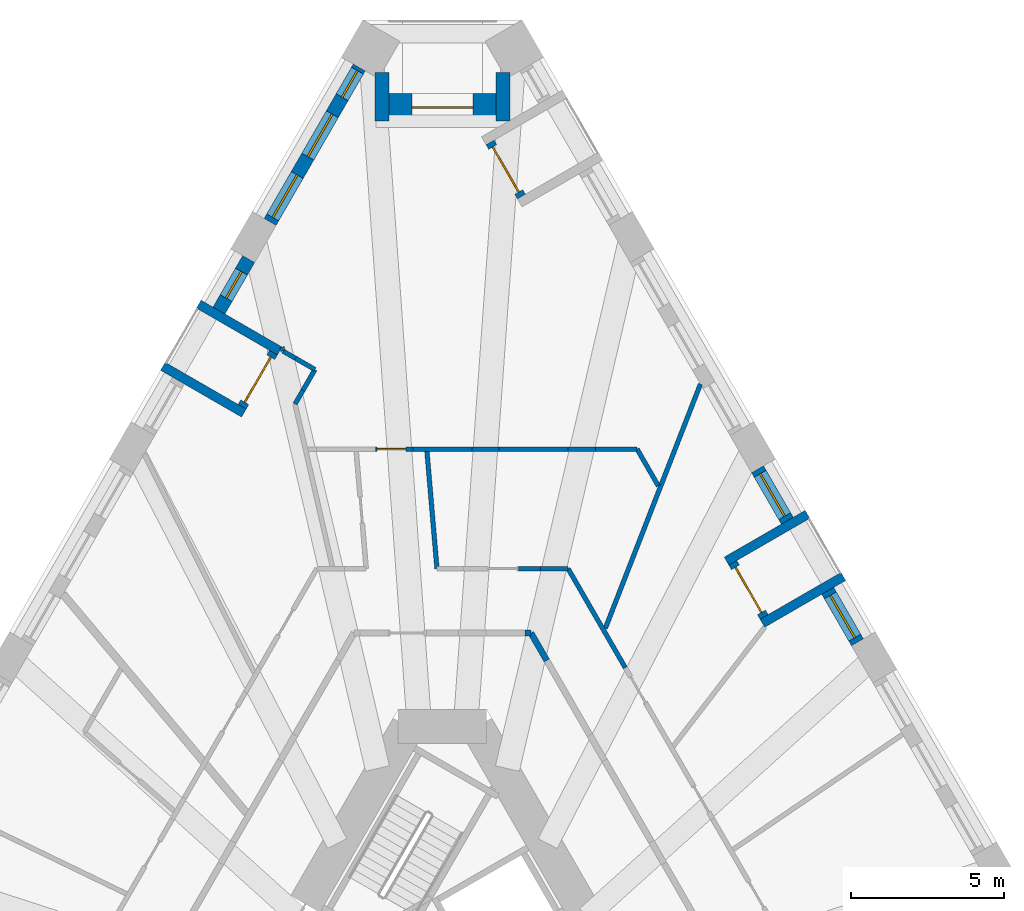
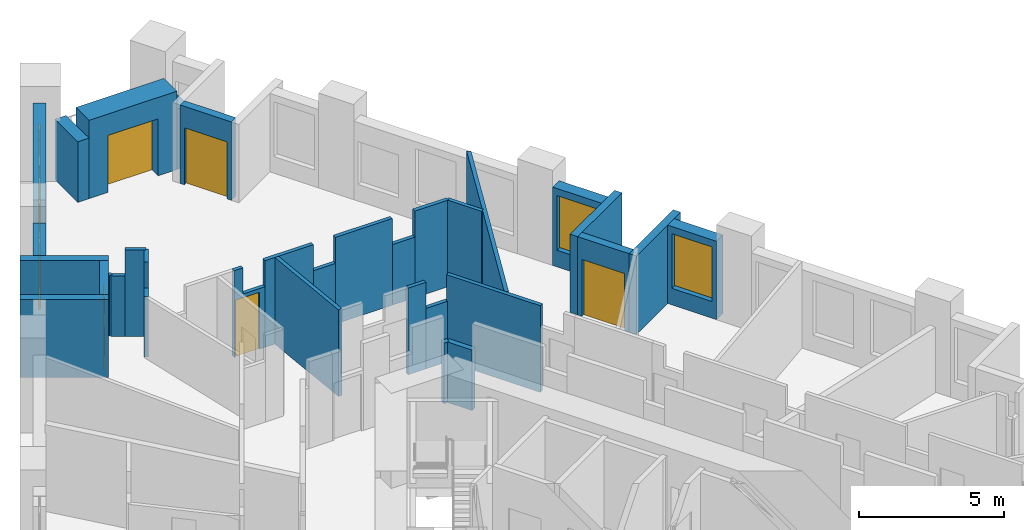
# One storey, part 9 of 14: 33 walls, 6 windows, 5 doors, 11 openings.
"""IFC4 building model written with IfcOpenShell, lengths in metres."""

from ifc_helpers import new_model, si_unit, direction, frame, frame_2d, origin, place, context, subcontext, project, spatial, polyline, rectangle, outline, extrude, material, layer, layer_set, type_object, element, fill, save


model = new_model("IFC4")

# Units and contexts
model_context = context("Model", 3, precision=1e-05, world=origin(), true_north=direction((0.0, 1.0)))
body_context = subcontext(model_context, "Body", "Model", "MODEL_VIEW")
ifc_project = project(units=[si_unit("LENGTHUNIT", "METRE"), si_unit("AREAUNIT", "SQUARE_METRE"), si_unit("VOLUMEUNIT", "CUBIC_METRE"), si_unit("PLANEANGLEUNIT", "RADIAN"), si_unit("MASSUNIT", "GRAM", prefix="KILO")], contexts=[model_context])

# Site, building, storey
site_placement = place(None, origin())
site = spatial("IfcSite", under=ifc_project, at=site_placement, CompositionType="ELEMENT")
building_placement = place(site_placement, origin())
building = spatial("IfcBuilding", under=site, at=building_placement, Name="Tramontana Tower", CompositionType="ELEMENT")
storey_placement = place(building_placement, frame((0.0, 0.0, 42.0)))
storey = spatial("IfcBuildingStorey", under=building, at=storey_placement, Name="L08", CompositionType="ELEMENT", Elevation=42.0)

# Walls
ifc_material_1 = material(Name="Blockwork", Category="masonry")
ifc_layer_1 = layer(ifc_material_1, 0.199951171875)
ifc_layer_set_1 = layer_set([ifc_layer_1], Name="ENTRY WALL 200")
wall_type_1 = type_object("IfcWallType", Name="ENTRY WALL 200", PredefinedType="SOLIDWALL", material=ifc_layer_set_1)
wall_1_placement = place(storey_placement, frame((2.88671875, 13.5, 0.0), z_axis=(0.0, 0.0, 1.0), x_axis=(0.499994660107, -0.866028486751, 0.0)))
element("IfcWall", 1, at=wall_1_placement, inside=storey, type_object=wall_type_1, Name="Wall v02-ew0-0", PredefinedType="SOLIDWALL", context=body_context, shape_type="SweptSolid", body=[
    extrude(rectangle(XDim=1.03515625, YDim=0.199951171875, at=frame_2d((0.517578125, 0.0))), origin(), (0.0, 0.0, 1.0), 2.550048828125),
])
wall_2_placement = place(storey_placement, frame((2.689453125, 13.5, 0.0), z_axis=(0.0, 0.0, 1.0), x_axis=(1.0, 0.0, 0.0)))
element("IfcWall", 2, at=wall_2_placement, inside=storey, type_object=wall_type_1, Name="Wall v02-ew5-6", PredefinedType="SOLIDWALL", context=body_context, shape_type="SweptSolid", body=[
    extrude(rectangle(XDim=0.197265625, YDim=0.199951171875, at=frame_2d((0.0986328125, 0.0))), origin(), (0.0, 0.0, 1.0), 2.550048828125),
])

# Wall, openings, windows
ifc_material_2 = material(Name="Precast concrete 60 MPa", Category="concrete")
ifc_layer_2 = layer(ifc_material_2, 0.449951171875)
ifc_layer_set_2 = layer_set([ifc_layer_2], Name="Precast concrete 60 MPa, 450 mm")
wall_type_2 = type_object("IfcWallType", Name="EW1 Stone-faced precast wall 450", PredefinedType="SOLIDWALL", material=ifc_layer_set_2)
wall_3_placement = place(storey_placement, frame((-2.713623046875, 31.949951171875, 0.0), z_axis=(0.0, 0.0, 1.0), x_axis=(-0.500007002644, -0.866021360769, 0.0)))
wall_3 = element("IfcWall", 3, at=wall_3_placement, inside=storey, type_object=wall_type_2, Name="External wall L08 face 0 bay 1", PredefinedType="SOLIDWALL", context=body_context, shape_type="SweptSolid", body=[
    extrude(rectangle(XDim=5.81787109375, YDim=0.449951171875, at=frame_2d((2.908935546875, 0.0))), origin(), (0.0, 0.0, 1.0), 3.300048828125),
])
opening_1_placement = place(wall_3_placement, frame((0.11962890625, 0.0, 0.699951171875)))
opening_1 = element("IfcOpeningElement", 4, at=opening_1_placement, cuts=wall_3, Name="Opening N1L", PredefinedType="OPENING", context=body_context, shape_type="SweptSolid", body=[
    extrude(rectangle(XDim=1.0, YDim=1.800048828125, at=frame_2d((0.5, 0.89990234375))), frame((0.0, 0.23486328125, 0.0), z_axis=(0.0, -1.0, 0.0), x_axis=(1.0, 0.0, 0.0)), (0.0, 0.0, 1.0), 0.469970703125),
])
opening_2_placement = place(wall_3_placement, frame((1.759033203125, 0.0, 0.699951171875)))
opening_2 = element("IfcOpeningElement", 5, at=opening_2_placement, cuts=wall_3, Name="Opening M1", PredefinedType="OPENING", context=body_context, shape_type="SweptSolid", body=[
    extrude(rectangle(XDim=1.60009765625, YDim=2.300048828125, at=frame_2d((0.800048828125, 1.14990234375))), frame((0.0, 0.23486328125, 0.0), z_axis=(0.0, -1.0, 0.0), x_axis=(1.0, 0.0, 0.0)), (0.0, 0.0, 1.0), 0.469970703125),
])
opening_3_placement = place(wall_3_placement, frame((4.04833984375, 0.0, 0.699951171875)))
opening_3 = element("IfcOpeningElement", 6, at=opening_3_placement, cuts=wall_3, Name="Opening M1", PredefinedType="OPENING", context=body_context, shape_type="SweptSolid", body=[
    extrude(rectangle(XDim=1.60009765625, YDim=2.300048828125, at=frame_2d((0.800048828125, 1.14990234375))), frame((0.0, 0.23486328125, 0.0), z_axis=(0.0, -1.0, 0.0), x_axis=(1.0, 0.0, 0.0)), (0.0, 0.0, 1.0), 0.469970703125),
])
ifc_material_3 = material(Name="Aluminum frame, double glazing unit", Category="aluminium")
window_type_1 = type_object("IfcWindowType", Name="M1 Window 1.6 x 2.3", PartitioningType="SINGLE_PANEL", PredefinedType="WINDOW", material=ifc_material_3)
window_1_placement = place(opening_2_placement, origin())
window_1 = element("IfcWindow", 7, at=window_1_placement, inside=storey, type_object=window_type_1, Name="Window M1 L08 face 0 module 2", OverallHeight=2.300048828125, OverallWidth=1.60009765625, PartitioningType="SINGLE_PANEL", PredefinedType="WINDOW", context=body_context, shape_type="SweptSolid", body=[
    extrude(rectangle(XDim=1.60009765625, YDim=2.300048828125, at=frame_2d((0.800048828125, 1.14990234375))), frame((0.0, 0.030029296875, 0.0), z_axis=(0.0, -1.0, 0.0), x_axis=(1.0, 0.0, 0.0)), (0.0, 0.0, 1.0), 0.06005859375),
])
fill(opening_2, window_1)
window_2_placement = place(opening_3_placement, origin())
window_2 = element("IfcWindow", 8, at=window_2_placement, inside=storey, type_object=window_type_1, Name="Window M1 L08 face 0 module 3", OverallHeight=2.300048828125, OverallWidth=1.60009765625, PartitioningType="SINGLE_PANEL", PredefinedType="WINDOW", context=body_context, shape_type="SweptSolid", body=[
    extrude(rectangle(XDim=1.60009765625, YDim=2.300048828125, at=frame_2d((0.800048828125, 1.14990234375))), frame((0.0, 0.030029296875, 0.0), z_axis=(0.0, -1.0, 0.0), x_axis=(1.0, 0.0, 0.0)), (0.0, 0.0, 1.0), 0.06005859375),
])
fill(opening_3, window_2)
ifc_material_4 = material(Name="Aluminum frame, double glazing unit", Category="aluminium")
window_type_2 = type_object("IfcWindowType", Name="N1L Window 1 x 1.8", PartitioningType="SINGLE_PANEL", PredefinedType="WINDOW", material=ifc_material_4)
window_3_placement = place(opening_1_placement, origin())
window_3 = element("IfcWindow", 9, at=window_3_placement, inside=storey, type_object=window_type_2, Name="Window N1L L08 face 0 module 1", OverallHeight=1.800048828125, OverallWidth=1.0, PartitioningType="SINGLE_PANEL", PredefinedType="WINDOW", context=body_context, shape_type="SweptSolid", body=[
    extrude(rectangle(XDim=1.0, YDim=1.800048828125, at=frame_2d((0.5, 0.89990234375))), frame((0.0, 0.030029296875, 0.0), z_axis=(0.0, -1.0, 0.0), x_axis=(1.0, 0.0, 0.0)), (0.0, 0.0, 1.0), 0.06005859375),
])
fill(opening_1, window_3)

# Wall, opening, window
wall_4_placement = place(storey_placement, frame((-6.322509765625, 25.69921875, 0.0), z_axis=(0.0, 0.0, 1.0), x_axis=(-0.49998396455, -0.866034661658, 0.0)))
wall_4 = element("IfcWall", 10, at=wall_4_placement, inside=storey, type_object=wall_type_2, Name="External wall L08 face 0 bay 2", PredefinedType="SOLIDWALL", context=body_context, shape_type="SweptSolid", body=[
    extrude(rectangle(XDim=1.939453125, YDim=0.449951171875, at=frame_2d((0.9697265625, 0.0))), origin(), (0.0, 0.0, 1.0), 3.300048828125),
])
opening_4_placement = place(wall_4_placement, frame((0.4697265625, 0.0, 0.699951171875)))
opening_4 = element("IfcOpeningElement", 11, at=opening_4_placement, cuts=wall_4, Name="Opening N1", PredefinedType="OPENING", context=body_context, shape_type="SweptSolid", body=[
    extrude(rectangle(XDim=1.0, YDim=2.300048828125, at=frame_2d((0.5, 1.14990234375))), frame((0.0, 0.23486328125, 0.0), z_axis=(0.0, -1.0, 0.0), x_axis=(1.0, 0.0, 0.0)), (0.0, 0.0, 1.0), 0.469970703125),
])
ifc_material_5 = material(Name="Aluminum frame, double glazing unit", Category="aluminium")
window_type_3 = type_object("IfcWindowType", Name="N1 Window 1 x 2.3", PartitioningType="SINGLE_PANEL", PredefinedType="WINDOW", material=ifc_material_5)
window_4_placement = place(opening_4_placement, origin())
window_4 = element("IfcWindow", 12, at=window_4_placement, inside=storey, type_object=window_type_3, Name="Window N1 L08 face 0 module 4", OverallHeight=2.300048828125, OverallWidth=1.0, PartitioningType="SINGLE_PANEL", PredefinedType="WINDOW", context=body_context, shape_type="SweptSolid", body=[
    extrude(rectangle(XDim=1.0, YDim=2.300048828125, at=frame_2d((0.5, 1.14990234375))), frame((0.0, 0.030029296875, 0.0), z_axis=(0.0, -1.0, 0.0), x_axis=(1.0, 0.0, 0.0)), (0.0, 0.0, 1.0), 0.06005859375),
])
fill(opening_4, window_4)

wall_5_placement = place(storey_placement, frame((13.54052734375, 13.197265625, 0.0), z_axis=(0.0, 0.0, 1.0), x_axis=(-0.500038474733, 0.866003189247, 0.0)))
wall_5 = element("IfcWall", 13, at=wall_5_placement, inside=storey, type_object=wall_type_2, Name="External wall L08 face 2 bay 5", PredefinedType="SOLIDWALL", context=body_context, shape_type="SweptSolid", body=[
    extrude(rectangle(XDim=1.939208984375, YDim=0.449951171875, at=frame_2d((0.9697265625, 0.0))), origin(), (0.0, 0.0, 1.0), 3.300048828125),
])
opening_5_placement = place(wall_5_placement, frame((0.169677734375, 0.0, 0.699951171875)))
opening_5 = element("IfcOpeningElement", 14, at=opening_5_placement, cuts=wall_5, Name="Opening M1", PredefinedType="OPENING", context=body_context, shape_type="SweptSolid", body=[
    extrude(rectangle(XDim=1.60009765625, YDim=2.300048828125, at=frame_2d((0.800048828125, 1.14990234375))), frame((0.0, 0.23486328125, 0.0), z_axis=(0.0, -1.0, 0.0), x_axis=(1.0, 0.0, 0.0)), (0.0, 0.0, 1.0), 0.469970703125),
])
window_5_placement = place(opening_5_placement, origin())
window_5 = element("IfcWindow", 15, at=window_5_placement, inside=storey, type_object=window_type_1, Name="Window M1 L08 face 2 module 13", OverallHeight=2.300048828125, OverallWidth=1.60009765625, PartitioningType="SINGLE_PANEL", PredefinedType="WINDOW", context=body_context, shape_type="SweptSolid", body=[
    extrude(rectangle(XDim=1.60009765625, YDim=2.300048828125, at=frame_2d((0.800048828125, 1.14990234375))), frame((0.0, 0.030029296875, 0.0), z_axis=(0.0, -1.0, 0.0), x_axis=(1.0, 0.0, 0.0)), (0.0, 0.0, 1.0), 0.06005859375),
])
fill(opening_5, window_5)

wall_6_placement = place(storey_placement, frame((11.251220703125, 17.16259765625, 0.0), z_axis=(0.0, 0.0, 1.0), x_axis=(-0.500038474733, 0.866003189247, 0.0)))
wall_6 = element("IfcWall", 16, at=wall_6_placement, inside=storey, type_object=wall_type_2, Name="External wall L08 face 2 bay 5", PredefinedType="SOLIDWALL", context=body_context, shape_type="SweptSolid", body=[
    extrude(rectangle(XDim=1.939208984375, YDim=0.449951171875, at=frame_2d((0.9697265625, 0.0))), origin(), (0.0, 0.0, 1.0), 3.300048828125),
])
opening_6_placement = place(wall_6_placement, frame((0.169677734375, 0.0, 0.699951171875)))
opening_6 = element("IfcOpeningElement", 17, at=opening_6_placement, cuts=wall_6, Name="Opening M1", PredefinedType="OPENING", context=body_context, shape_type="SweptSolid", body=[
    extrude(rectangle(XDim=1.60009765625, YDim=2.300048828125, at=frame_2d((0.800048828125, 1.14990234375))), frame((0.0, 0.23486328125, 0.0), z_axis=(0.0, -1.0, 0.0), x_axis=(1.0, 0.0, 0.0)), (0.0, 0.0, 1.0), 0.469970703125),
])
window_6_placement = place(opening_6_placement, origin())
window_6 = element("IfcWindow", 18, at=window_6_placement, inside=storey, type_object=window_type_1, Name="Window M1 L08 face 2 module 15", OverallHeight=2.300048828125, OverallWidth=1.60009765625, PartitioningType="SINGLE_PANEL", PredefinedType="WINDOW", context=body_context, shape_type="SweptSolid", body=[
    extrude(rectangle(XDim=1.60009765625, YDim=2.300048828125, at=frame_2d((0.800048828125, 1.14990234375))), frame((0.0, 0.030029296875, 0.0), z_axis=(0.0, -1.0, 0.0), x_axis=(1.0, 0.0, 0.0)), (0.0, 0.0, 1.0), 0.06005859375),
])
fill(opening_6, window_6)

# Walls
for number, where, z_axis, x_axis, name in (
    (19, (-1.97509765625, 31.779296875, 0.0), (0.0, 0.0, 1.0), (0.0, -1.0, 0.0), "Corner loggia side wall L08 K00l"),
    (20, (1.97509765625, 31.779296875, 0.0), (0.0, 0.0, 1.0), (0.0, -1.0, 0.0), "Corner loggia side wall L08 K00r"),
):
    element("IfcWall", number, at=place(storey_placement, frame(where, z_axis=z_axis, x_axis=x_axis)), inside=storey, type_object=wall_type_2, Name=name, PredefinedType="SOLIDWALL", context=body_context, shape_type="SweptSolid", body=[
        extrude(rectangle(XDim=1.579345703125, YDim=0.449951171875, at=frame_2d((0.78955078125, 0.0))), origin(), (0.0, 0.0, 1.0), 2.550048828125),
    ])

# Wall, opening, door
ifc_material_6 = material(Name="Precast concrete 60 MPa", Category="concrete")
ifc_layer_3 = layer(ifc_material_6, 0.89990234375)
ifc_layer_set_3 = layer_set([ifc_layer_3], Name="EW2 Stone-faced corner loggia wall 900")
wall_type_3 = type_object("IfcWallType", Name="EW2 Stone-faced corner loggia wall 900", PredefinedType="SOLIDWALL", material=ifc_layer_set_3)
wall_7_placement = place(storey_placement, frame((-1.75, 30.64990234375, 0.0), z_axis=(0.0, 0.0, 1.0), x_axis=(1.0, 0.0, 0.0)))
wall_7 = element("IfcWall", 21, at=wall_7_placement, inside=storey, type_object=wall_type_3, Name="Corner loggia wall L08 K00", PredefinedType="SOLIDWALL", context=body_context, shape_type="SweptSolid", body=[
    extrude(rectangle(XDim=3.5, YDim=0.89990234375, at=frame_2d((1.75, 0.0))), origin(), (0.0, 0.0, 1.0), 3.300048828125),
])
opening_7_placement = place(wall_7_placement, frame((0.75, 0.0, 0.0)))
opening_7 = element("IfcOpeningElement", 22, at=opening_7_placement, cuts=wall_7, Name="Opening BD-00C", PredefinedType="OPENING", context=body_context, shape_type="SweptSolid", body=[
    extrude(rectangle(XDim=2.0, YDim=2.39990234375, at=frame_2d((1.0, 1.199951171875))), frame((0.0, 0.4599609375, 0.0), z_axis=(0.0, -1.0, 0.0), x_axis=(1.0, 0.0, 0.0)), (0.0, 0.0, 1.0), 0.919921875),
])
ifc_material_7 = material(Name="Aluminum frame, double glazing unit", Category="aluminium")
door_type_1 = type_object("IfcDoorType", Name="BC1 Sliding door 2 x 2.4", OperationType="SLIDING_TO_LEFT", PredefinedType="DOOR", material=ifc_material_7)
door_1_placement = place(opening_7_placement, origin())
door_1 = element("IfcDoor", 23, at=door_1_placement, inside=storey, type_object=door_type_1, Name="Corner loggia door L08 K00", OperationType="SLIDING_TO_LEFT", OverallHeight=2.39990234375, OverallWidth=2.0, PredefinedType="DOOR", context=body_context, shape_type="SweptSolid", body=[
    extrude(rectangle(XDim=2.0, YDim=2.39990234375, at=frame_2d((1.0, 1.199951171875))), frame((0.0, 0.02490234375, 0.0), z_axis=(0.0, -1.0, 0.0), x_axis=(1.0, 0.0, 0.0)), (0.0, 0.0, 1.0), 0.050048828125),
])
fill(opening_7, door_1)

ifc_material_8 = material(Name="Precast concrete 60 MPa", Category="concrete")
ifc_layer_4 = layer(ifc_material_8, 0.300048828125)
ifc_layer_set_4 = layer_set([ifc_layer_4], Name="LW1 Stone-faced loggia wall 300")
wall_type_4 = type_object("IfcWallType", Name="LW1 Stone-faced loggia wall 300", PredefinedType="SOLIDWALL", material=ifc_layer_set_4)
wall_8_placement = place(storey_placement, frame((-5.51513671875, 22.647216796875, 0.0), z_axis=(0.0, 0.0, 1.0), x_axis=(-0.500092081068, -0.865972234227, 0.0)))
wall_8 = element("IfcWall", 24, at=wall_8_placement, inside=storey, type_object=wall_type_4, Name="Loggia wall L08 G0S0.4", PredefinedType="SOLIDWALL", context=body_context, shape_type="SweptSolid", body=[
    extrude(rectangle(XDim=2.0390625, YDim=0.300048828125, at=frame_2d((1.01953125, 0.0))), origin(), (0.0, 0.0, 1.0), 3.300048828125),
])
opening_8_placement = place(wall_8_placement, frame((0.169677734375, 0.0, 0.0)))
opening_8 = element("IfcOpeningElement", 25, at=opening_8_placement, cuts=wall_8, Name="Opening BD-0S0-04", PredefinedType="OPENING", context=body_context, shape_type="SweptSolid", body=[
    extrude(rectangle(XDim=1.699951171875, YDim=2.39990234375, at=frame_2d((0.85009765625, 1.199951171875))), frame((0.0, 0.159912109375, 0.0), z_axis=(0.0, -1.0, 0.0), x_axis=(1.0, 0.0, 0.0)), (0.0, 0.0, 1.0), 0.320068359375),
])
ifc_material_9 = material(Name="Aluminum frame, double glazing unit", Category="aluminium")
door_type_2 = type_object("IfcDoorType", Name="BD1 Sliding door 1.7 x 2.4", OperationType="SLIDING_TO_LEFT", PredefinedType="DOOR", material=ifc_material_9)
door_2_placement = place(opening_8_placement, origin())
door_2 = element("IfcDoor", 26, at=door_2_placement, inside=storey, type_object=door_type_2, Name="Loggia door L08 G0S0.4", OperationType="SLIDING_TO_LEFT", OverallHeight=2.39990234375, OverallWidth=1.699951171875, PredefinedType="DOOR", context=body_context, shape_type="SweptSolid", body=[
    extrude(rectangle(XDim=1.699951171875, YDim=2.39990234375, at=frame_2d((0.85009765625, 1.199951171875))), frame((0.0, 0.02490234375, 0.0), z_axis=(0.0, -1.0, 0.0), x_axis=(1.0, 0.0, 0.0)), (0.0, 0.0, 1.0), 0.050048828125),
])
fill(opening_8, door_2)

# Walls
for number, where, z_axis, x_axis, name in (
    (27, (-7.95166015625, 24.227294921875, 0.0), (0.0, 0.0, 1.0), (0.8660029625, -0.500038867431, 0.0), "Loggia return L08 G0S0.4a"),
    (28, (-9.121337890625, 22.201416015625, 0.0), (0.0, 0.0, 1.0), (0.8660029625, -0.500038867431, 0.0), "Loggia return L08 G0S0.4b"),
):
    element("IfcWall", number, at=place(storey_placement, frame(where, z_axis=z_axis, x_axis=x_axis)), inside=storey, type_object=wall_type_4, Name=name, PredefinedType="SOLIDWALL", context=body_context, shape_type="SweptSolid", body=[
        extrude(rectangle(XDim=3.050048828125, YDim=0.300048828125, at=frame_2d((1.52490234375, 0.0))), origin(), (0.0, 0.0, 1.0), 3.300048828125),
    ])

# Wall, opening, door
wall_9_placement = place(storey_placement, frame((10.493896484375, 14.024169921875, 0.0), z_axis=(0.0, 0.0, 1.0), x_axis=(-0.500040236659, 0.866002171892, 0.0)))
wall_9 = element("IfcWall", 29, at=wall_9_placement, inside=storey, type_object=wall_type_4, Name="Loggia wall L08 G0S2.13", PredefinedType="SOLIDWALL", context=body_context, shape_type="SweptSolid", body=[
    extrude(rectangle(XDim=2.039306640625, YDim=0.300048828125, at=frame_2d((1.01953125, 0.0))), origin(), (0.0, 0.0, 1.0), 3.300048828125),
])
opening_9_placement = place(wall_9_placement, frame((0.169677734375, 0.0, 0.0)))
opening_9 = element("IfcOpeningElement", 30, at=opening_9_placement, cuts=wall_9, Name="Opening BD-0S2-13", PredefinedType="OPENING", context=body_context, shape_type="SweptSolid", body=[
    extrude(rectangle(XDim=1.699951171875, YDim=2.39990234375, at=frame_2d((0.85009765625, 1.199951171875))), frame((0.0, 0.159912109375, 0.0), z_axis=(0.0, -1.0, 0.0), x_axis=(1.0, 0.0, 0.0)), (0.0, 0.0, 1.0), 0.320068359375),
])
door_3_placement = place(opening_9_placement, origin())
door_3 = element("IfcDoor", 31, at=door_3_placement, inside=storey, type_object=door_type_2, Name="Loggia door L08 G0S2.13", OperationType="SLIDING_TO_LEFT", OverallHeight=2.39990234375, OverallWidth=1.699951171875, PredefinedType="DOOR", context=body_context, shape_type="SweptSolid", body=[
    extrude(rectangle(XDim=1.699951171875, YDim=2.39990234375, at=frame_2d((0.85009765625, 1.199951171875))), frame((0.0, 0.02490234375, 0.0), z_axis=(0.0, -1.0, 0.0), x_axis=(1.0, 0.0, 0.0)), (0.0, 0.0, 1.0), 0.050048828125),
])
fill(opening_9, door_3)

# Walls
for number, where, z_axis, x_axis, name in (
    (32, (13.080322265625, 15.34423828125, 0.0), (0.0, 0.0, 1.0), (-0.8660029625, -0.500038867431, 0.0), "Loggia return L08 G0S2.13a"),
    (33, (11.91064453125, 17.3701171875, 0.0), (0.0, 0.0, 1.0), (-0.866037623948, -0.499978833458, 0.0), "Loggia return L08 G0S2.13b"),
):
    element("IfcWall", number, at=place(storey_placement, frame(where, z_axis=z_axis, x_axis=x_axis)), inside=storey, type_object=wall_type_4, Name=name, PredefinedType="SOLIDWALL", context=body_context, shape_type="SweptSolid", body=[
        extrude(rectangle(XDim=3.050048828125, YDim=0.300048828125, at=frame_2d((1.52490234375, 0.0))), origin(), (0.0, 0.0, 1.0), 3.300048828125),
    ])

# Wall, opening, door
wall_10_placement = place(storey_placement, frame((2.575927734375, 27.73828125, 0.0), z_axis=(0.0, 0.0, 1.0), x_axis=(-0.500040236659, 0.866002171892, 0.0)))
wall_10 = element("IfcWall", 34, at=wall_10_placement, inside=storey, type_object=wall_type_4, Name="Loggia wall L08 G0S2.19", PredefinedType="SOLIDWALL", context=body_context, shape_type="SweptSolid", body=[
    extrude(rectangle(XDim=2.039306640625, YDim=0.300048828125, at=frame_2d((1.01953125, 0.0))), origin(), (0.0, 0.0, 1.0), 3.300048828125),
])
opening_10_placement = place(wall_10_placement, frame((0.169677734375, 0.0, 0.0)))
opening_10 = element("IfcOpeningElement", 35, at=opening_10_placement, cuts=wall_10, Name="Opening BD-0S2-19", PredefinedType="OPENING", context=body_context, shape_type="SweptSolid", body=[
    extrude(rectangle(XDim=1.699951171875, YDim=2.39990234375, at=frame_2d((0.85009765625, 1.199951171875))), frame((0.0, 0.159912109375, 0.0), z_axis=(0.0, -1.0, 0.0), x_axis=(1.0, 0.0, 0.0)), (0.0, 0.0, 1.0), 0.320068359375),
])
door_4_placement = place(opening_10_placement, origin())
door_4 = element("IfcDoor", 36, at=door_4_placement, inside=storey, type_object=door_type_2, Name="Loggia door L08 G0S2.19", OperationType="SLIDING_TO_LEFT", OverallHeight=2.39990234375, OverallWidth=1.699951171875, PredefinedType="DOOR", context=body_context, shape_type="SweptSolid", body=[
    extrude(rectangle(XDim=1.699951171875, YDim=2.39990234375, at=frame_2d((0.85009765625, 1.199951171875))), frame((0.0, 0.02490234375, 0.0), z_axis=(0.0, -1.0, 0.0), x_axis=(1.0, 0.0, 0.0)), (0.0, 0.0, 1.0), 0.050048828125),
])
fill(opening_10, door_4)

# Walls
ifc_material_10 = material(Name="Gypsum board partition")
ifc_layer_5 = layer(ifc_material_10, 0.14990234375)
ifc_layer_set_5 = layer_set([ifc_layer_5], Name="PARTITION 150")
wall_type_5 = type_object("IfcWallType", Name="PARTITION 150", PredefinedType="PARTITIONING", material=ifc_layer_set_5)
wall_11_placement = place(storey_placement, frame((-5.204833984375, 22.699462890625, 0.0), z_axis=(0.0, 0.0, 1.0), x_axis=(-0.224199209128, 0.974543336454, 0.0)))
element("IfcWall", 37, at=wall_11_placement, inside=storey, type_object=wall_type_5, Name="Wall v02-pw19-0", PredefinedType="PARTITIONING", context=body_context, shape_type="SweptSolid", body=[
    extrude(rectangle(XDim=0.135009765625, YDim=0.14990234375, at=frame_2d((0.0673828125, 0.0))), origin(), (0.0, 0.0, 1.0), 2.550048828125),
])
wall_12_placement = place(storey_placement, frame((-4.80859375, 20.970947265625, 0.0), z_axis=(0.0, 0.0, 1.0), x_axis=(0.500009360108, 0.866019999656, 0.0)))
element("IfcWall", 38, at=wall_12_placement, inside=storey, type_object=wall_type_5, Name="Wall v02-pw20-0", PredefinedType="PARTITIONING", context=body_context, shape_type="SweptSolid", body=[
    extrude(rectangle(XDim=0.515625, YDim=0.14990234375, at=frame_2d((0.2578125, 0.0))), origin(), (0.0, 0.0, 1.0), 2.550048828125),
])
wall_13_placement = place(storey_placement, frame((-4.55078125, 21.41748046875, 0.0), z_axis=(0.0, 0.0, 1.0), x_axis=(0.50003806587, 0.866003425329, 0.0)))
element("IfcWall", 39, at=wall_13_placement, inside=storey, type_object=wall_type_5, Name="Wall v02-pw20-1", PredefinedType="PARTITIONING", context=body_context, shape_type="SweptSolid", body=[
    extrude(rectangle(XDim=0.78125, YDim=0.14990234375, at=frame_2d((0.390625, 0.0))), origin(), (0.0, 0.0, 1.0), 3.64990234375),
])

# Wall, opening, door
wall_14_placement = place(storey_placement, frame((-2.190673828125, 19.5, 0.0), z_axis=(0.0, 0.0, 1.0), x_axis=(1.0, 0.0, 0.0)))
wall_14 = element("IfcWall", 40, at=wall_14_placement, inside=storey, type_object=wall_type_5, Name="Wall v02-pw21-2", PredefinedType="PARTITIONING", context=body_context, shape_type="SweptSolid", body=[
    extrude(outline(polyline([(0.0, 0.0), (1.22607421875, 0.0), (1.22607421875, 2.550048828125), (0.3486328125, 2.550048828125), (0.3486328125, 3.64990234375), (0.0, 3.64990234375), (0.0, 0.0)])), frame((0.0, 0.074951171875, 0.0), z_axis=(0.0, -1.0, 0.0), x_axis=(1.0, 0.0, 0.0)), (0.0, 0.0, 1.0), 0.14990234375),
])
opening_11_placement = place(wall_14_placement, frame((0.050048828125, 0.0, 0.0)))
opening_11 = element("IfcOpeningElement", 41, at=opening_11_placement, cuts=wall_14, Name="Opening B0C-03", PredefinedType="OPENING", context=body_context, shape_type="SweptSolid", body=[
    extrude(rectangle(XDim=0.949951171875, YDim=2.39990234375, at=frame_2d((0.47509765625, 1.199951171875))), frame((0.0, 0.0849609375, 0.0), z_axis=(0.0, -1.0, 0.0), x_axis=(1.0, 0.0, 0.0)), (0.0, 0.0, 1.0), 0.169921875),
])
ifc_material_11 = material(Name="Painted timber", Category="wood")
door_type_3 = type_object("IfcDoorType", Name="DOOR ROOM 950", OperationType="SINGLE_SWING_LEFT", PredefinedType="DOOR", material=ifc_material_11)
door_5_placement = place(opening_11_placement, origin())
door_5 = element("IfcDoor", 42, at=door_5_placement, inside=storey, type_object=door_type_3, Name="Door B0C-03", OperationType="SINGLE_SWING_LEFT", OverallHeight=2.39990234375, OverallWidth=0.949951171875, PredefinedType="DOOR", context=body_context, shape_type="SweptSolid", body=[
    extrude(rectangle(XDim=0.949951171875, YDim=2.39990234375, at=frame_2d((0.47509765625, 1.199951171875))), frame((0.0, 0.02490234375, 0.0), z_axis=(0.0, -1.0, 0.0), x_axis=(1.0, 0.0, 0.0)), (0.0, 0.0, 1.0), 0.050048828125),
])
fill(opening_11, door_5)

# Walls
wall_15_placement = place(storey_placement, frame((-0.964599609375, 19.5, 0.0), z_axis=(0.0, 0.0, 1.0), x_axis=(1.0, 0.0, 0.0)))
element("IfcWall", 43, at=wall_15_placement, inside=storey, type_object=wall_type_5, Name="Wall v02-pw21-3", PredefinedType="PARTITIONING", context=body_context, shape_type="SweptSolid", body=[
    extrude(rectangle(XDim=1.92919921875, YDim=0.14990234375, at=frame_2d((0.964599609375, 0.0))), origin(), (0.0, 0.0, 1.0), 3.64990234375),
])
wall_16_placement = place(storey_placement, frame((0.964599609375, 19.5, 0.0), z_axis=(0.0, 0.0, 1.0), x_axis=(1.0, 0.0, 0.0)))
element("IfcWall", 44, at=wall_16_placement, inside=storey, type_object=wall_type_5, Name="Wall v02-pw21-4", PredefinedType="PARTITIONING", context=body_context, shape_type="SweptSolid", body=[
    extrude(rectangle(XDim=0.877197265625, YDim=0.14990234375, at=frame_2d((0.4384765625, 0.0))), origin(), (0.0, 0.0, 1.0), 2.550048828125),
])
wall_17_placement = place(storey_placement, frame((1.841796875, 19.5, 0.0), z_axis=(0.0, 0.0, 1.0), x_axis=(1.0, 0.0, 0.0)))
element("IfcWall", 45, at=wall_17_placement, inside=storey, type_object=wall_type_5, Name="Wall v02-pw21-5", PredefinedType="PARTITIONING", context=body_context, shape_type="SweptSolid", body=[
    extrude(rectangle(XDim=2.26123046875, YDim=0.14990234375, at=frame_2d((1.130615234375, 0.0))), origin(), (0.0, 0.0, 1.0), 3.64990234375),
])
wall_18_placement = place(storey_placement, frame((4.10302734375, 19.5, 0.0), z_axis=(0.0, 0.0, 1.0), x_axis=(1.0, 0.0, 0.0)))
element("IfcWall", 46, at=wall_18_placement, inside=storey, type_object=wall_type_5, Name="Wall v02-pw21-6", PredefinedType="PARTITIONING", context=body_context, shape_type="SweptSolid", body=[
    extrude(rectangle(XDim=0.898681640625, YDim=0.14990234375, at=frame_2d((0.44921875, 0.0))), origin(), (0.0, 0.0, 1.0), 2.550048828125),
])
wall_19_placement = place(storey_placement, frame((5.001708984375, 19.5, 0.0), z_axis=(0.0, 0.0, 1.0), x_axis=(1.0, 0.0, 0.0)))
element("IfcWall", 47, at=wall_19_placement, inside=storey, type_object=wall_type_5, Name="Wall v02-pw21-7", PredefinedType="PARTITIONING", context=body_context, shape_type="SweptSolid", body=[
    extrude(rectangle(XDim=1.34912109375, YDim=0.14990234375, at=frame_2d((0.674560546875, 0.0))), origin(), (0.0, 0.0, 1.0), 3.64990234375),
])
wall_20_placement = place(storey_placement, frame((-4.160888671875, 22.0966796875, 0.0), z_axis=(0.0, 0.0, 1.0), x_axis=(-0.866141146063, 0.499799474886, 0.0)))
element("IfcWall", 48, at=wall_20_placement, inside=storey, type_object=wall_type_5, Name="Wall v02-pw22-0", PredefinedType="PARTITIONING", context=body_context, shape_type="SweptSolid", body=[
    extrude(rectangle(XDim=0.731689453125, YDim=0.14990234375, at=frame_2d((0.36572265625, 0.0))), origin(), (0.0, 0.0, 1.0), 3.64990234375),
])
wall_21_placement = place(storey_placement, frame((-4.794677734375, 22.46240234375, 0.0), z_axis=(0.0, 0.0, 1.0), x_axis=(-0.866013897511, 0.50001992892, 0.0)))
element("IfcWall", 49, at=wall_21_placement, inside=storey, type_object=wall_type_5, Name="Wall v02-pw22-1", PredefinedType="PARTITIONING", context=body_context, shape_type="SweptSolid", body=[
    extrude(rectangle(XDim=0.4736328125, YDim=0.14990234375, at=frame_2d((0.23681640625, 0.0))), origin(), (0.0, 0.0, 1.0), 2.550048828125),
])
wall_22_placement = place(storey_placement, frame((-0.505126953125, 19.425048828125, 0.0), z_axis=(0.0, 0.0, 1.0), x_axis=(0.085092687009, -0.996373039889, 0.0)))
element("IfcWall", 50, at=wall_22_placement, inside=storey, type_object=wall_type_5, Name="Wall v02-pw28", PredefinedType="PARTITIONING", context=body_context, shape_type="SweptSolid", body=[
    extrude(rectangle(XDim=3.8388671875, YDim=0.14990234375, at=frame_2d((1.91943359375, 0.0))), origin(), (0.0, 0.0, 1.0), 3.64990234375),
])
wall_23_placement = place(storey_placement, frame((2.4853515625, 15.60009765625, 0.0), z_axis=(0.0, 0.0, 1.0), x_axis=(1.0, 0.0, 0.0)))
element("IfcWall", 51, at=wall_23_placement, inside=storey, type_object=wall_type_5, Name="Wall v02-pw29-2", PredefinedType="PARTITIONING", context=body_context, shape_type="SweptSolid", body=[
    extrude(rectangle(XDim=0.707275390625, YDim=0.14990234375, at=frame_2d((0.353515625, 0.0))), origin(), (0.0, 0.0, 1.0), 3.64990234375),
])
wall_24_placement = place(storey_placement, frame((3.192626953125, 15.60009765625, 0.0), z_axis=(0.0, 0.0, 1.0), x_axis=(1.0, 0.0, 0.0)))
element("IfcWall", 52, at=wall_24_placement, inside=storey, type_object=wall_type_5, Name="Wall v02-pw29-3", PredefinedType="PARTITIONING", context=body_context, shape_type="SweptSolid", body=[
    extrude(rectangle(XDim=0.906494140625, YDim=0.14990234375, at=frame_2d((0.453125, 0.0))), origin(), (0.0, 0.0, 1.0), 2.550048828125),
])
wall_25_placement = place(storey_placement, frame((4.09912109375, 15.60009765625, 0.0), z_axis=(0.0, 0.0, 1.0), x_axis=(0.500007375767, -0.866021145342, 0.0)))
element("IfcWall", 53, at=wall_25_placement, inside=storey, type_object=wall_type_5, Name="Wall v02-pw31-0", PredefinedType="PARTITIONING", context=body_context, shape_type="SweptSolid", body=[
    extrude(rectangle(XDim=3.7333984375, YDim=0.14990234375, at=frame_2d((1.86669921875, 0.0))), origin(), (0.0, 0.0, 1.0), 3.64990234375),
])
wall_26_placement = place(storey_placement, frame((6.350830078125, 19.5, 0.0), z_axis=(0.0, 0.0, 1.0), x_axis=(0.499986884831, -0.866032975699, 0.0)))
element("IfcWall", 54, at=wall_26_placement, inside=storey, type_object=wall_type_5, Name="Wall v02-pw33", PredefinedType="PARTITIONING", context=body_context, shape_type="SweptSolid", body=[
    extrude(rectangle(XDim=1.38525390625, YDim=0.14990234375, at=frame_2d((0.692626953125, 0.0))), origin(), (0.0, 0.0, 1.0), 3.64990234375),
])
wall_27_placement = place(storey_placement, frame((8.4169921875, 21.621337890625, 0.0), z_axis=(0.0, 0.0, 1.0), x_axis=(-0.362765684538, -0.931880388313, 0.0)))
element("IfcWall", 55, at=wall_27_placement, inside=storey, type_object=wall_type_5, Name="Wall v02-pw35", PredefinedType="PARTITIONING", context=body_context, shape_type="SweptSolid", body=[
    extrude(rectangle(XDim=8.556396484375, YDim=0.14990234375, at=frame_2d((4.2783203125, 0.0))), origin(), (0.0, 0.0, 1.0), 3.64990234375),
])

save(model, "model.ifc")
